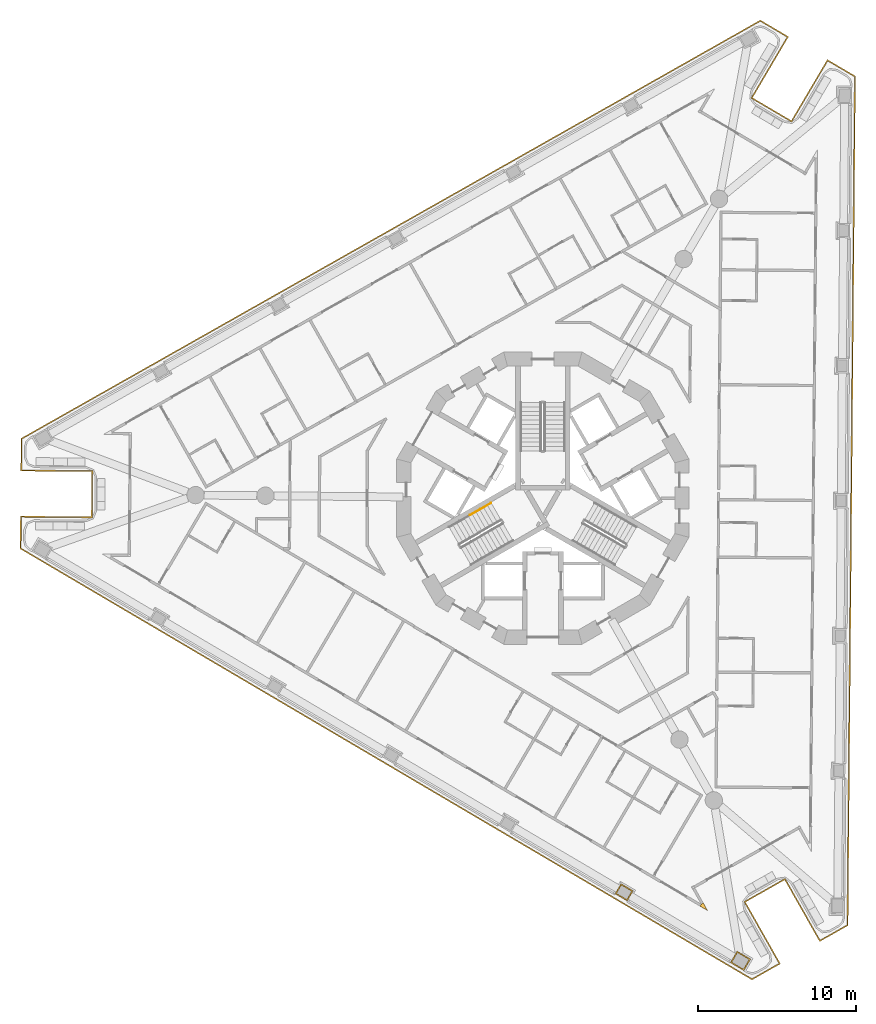
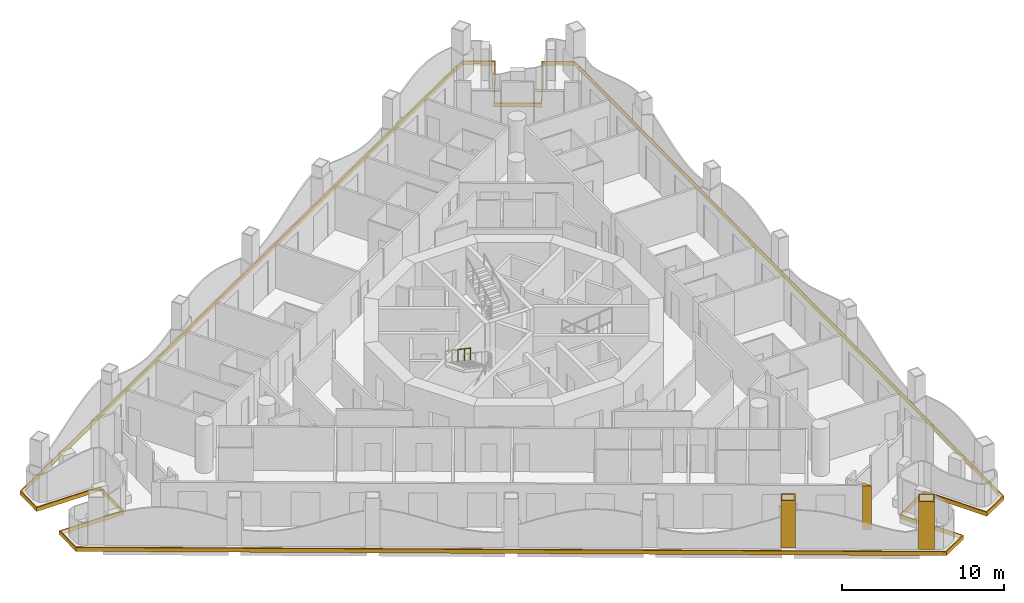
# One storey, part 13 of 17: 4 coverings, 1 railing.
"""IFC4 building model written with IfcOpenShell, lengths in metres."""

from ifc_helpers import new_model, si_unit, direction, frame, origin, origin_2d, place, context, subcontext, project, spatial, polyline, circle, outline, extrude, material, layer, layer_set, type_object, element, save


model = new_model("IFC4")

# Units and contexts
model_context = context("Model", 3, precision=1e-05, world=origin(), true_north=direction((0.0, 1.0)))
body_context = subcontext(model_context, "Body", "Model", "MODEL_VIEW")
ifc_project = project(units=[si_unit("LENGTHUNIT", "METRE"), si_unit("AREAUNIT", "SQUARE_METRE"), si_unit("VOLUMEUNIT", "CUBIC_METRE"), si_unit("PLANEANGLEUNIT", "RADIAN"), si_unit("MASSUNIT", "GRAM", prefix="KILO")], contexts=[model_context])

# Site, building, storey
site_placement = place(None, origin())
site = spatial("IfcSite", under=ifc_project, at=site_placement, CompositionType="ELEMENT")
building_placement = place(site_placement, origin())
building = spatial("IfcBuilding", under=site, at=building_placement, Name="Trine Commons Tower", CompositionType="ELEMENT")
storey_placement = place(building_placement, frame((0.0, 0.0, 182.699951171875)))
storey = spatial("IfcBuildingStorey", under=building, at=storey_placement, Name="L47", CompositionType="ELEMENT", Elevation=182.699951171875)

# Coverings
ifc_material_1 = material(Name="Aluminium-framed insulated wall panel", Category="aluminium")
ifc_layer_1 = layer(ifc_material_1, 0.14990234375)
ifc_layer_set_1 = layer_set([ifc_layer_1], Name="Aluminium-framed insulated wall panel")
covering_type_1 = type_object("IfcCoveringType", Name="Glazing corner post, aluminium", PredefinedType="CLADDING", material=ifc_layer_set_1)
covering_1_placement = place(storey_placement, origin())
element("IfcCovering", 1, at=covering_1_placement, inside=storey, type_object=covering_type_1, Name="Glazing corner post 5-12", PredefinedType="CLADDING", context=body_context, shape_type="SweptSolid", body=[
    extrude(outline(polyline([(89.97265625, 36.6083984375), (90.455078125, 36.32421875), (90.179443359375, 36.811279296875), (90.048828125, 36.737548828125), (89.97265625, 36.6083984375)])), origin(), (0.0, 0.0, 1.0), 3.300048828125),
])
ifc_material_2 = material(Name="Limestone, honed", Category="masonry")
ifc_layer_2 = layer(ifc_material_2, 0.074951171875)
ifc_layer_set_2 = layer_set([ifc_layer_2], Name="Limestone, honed")
covering_type_2 = type_object("IfcCoveringType", Name="Limestone column cladding 75", PredefinedType="CLADDING", material=ifc_layer_set_2)
covering_2_placement = place(storey_placement, origin())
element("IfcCovering", 2, at=covering_2_placement, inside=storey, type_object=covering_type_2, Name="Limestone pier cladding 5-01", PredefinedType="CLADDING", context=body_context, shape_type="SweptSolid", body=[
    extrude(outline(polyline([(92.327392578125, 33.753173828125), (91.89599609375, 33.020751953125), (92.757568359375, 32.51318359375), (93.18896484375, 33.24560546875), (92.327392578125, 33.753173828125)]), holes=[polyline([(92.35400390625, 33.650390625), (91.998779296875, 33.047119140625), (92.731201171875, 32.61572265625), (93.086181640625, 33.218994140625), (92.35400390625, 33.650390625)])]), origin(), (0.0, 0.0, 1.0), 3.60009765625),
])
covering_3_placement = place(storey_placement, origin())
element("IfcCovering", 3, at=covering_3_placement, inside=storey, type_object=covering_type_2, Name="Limestone pier cladding 5-02", PredefinedType="CLADDING", context=body_context, shape_type="SweptSolid", body=[
    extrude(outline(polyline([(84.96044921875, 38.03466796875), (84.57958984375, 37.388427734375), (85.355224609375, 36.931640625), (85.73583984375, 37.577880859375), (84.96044921875, 38.03466796875)]), holes=[polyline([(84.987060546875, 37.931884765625), (84.682373046875, 37.414794921875), (85.32861328125, 37.0341796875), (85.63330078125, 37.55126953125), (84.987060546875, 37.931884765625)])]), origin(), (0.0, 0.0, 1.0), 3.60009765625),
])
ifc_layer_3 = layer(ifc_material_2, 0.074951171875)
ifc_layer_set_3 = layer_set([ifc_layer_3], Name="Limestone, honed")
covering_type_3 = type_object("IfcCoveringType", Name="Limestone spandrel panel 75", PredefinedType="CLADDING", material=ifc_layer_set_3)
covering_4_placement = place(storey_placement, frame((0.0, 0.0, -0.300048828125)))
element("IfcCovering", 4, at=covering_4_placement, inside=storey, type_object=covering_type_3, Name="Limestone spandrel panel 5-01", PredefinedType="CLADDING", context=body_context, shape_type="SweptSolid", body=[
    extrude(outline(polyline([(95.34814453125, 38.26611328125), (97.564208984375, 34.349365234375), (99.376708984375, 35.374755859375), (99.846923828125, 89.282958984375), (98.052734375, 90.33984375), (95.768798828125, 86.46240234375), (93.313232421875, 87.908935546875), (95.59716796875, 91.786376953125), (93.802734375, 92.84326171875), (46.8818359375, 66.296630859375), (46.863525390625, 64.214111328125), (51.363525390625, 64.175048828125), (51.338623046875, 61.3251953125), (46.8388671875, 61.3642578125), (46.820556640625, 59.281982421875), (93.271240234375, 31.92041015625), (95.08349609375, 32.94580078125), (92.86767578125, 36.862548828125), (95.34814453125, 38.26611328125)]), holes=[polyline([(98.079345703125, 90.237060546875), (99.771484375, 89.240234375), (99.302001953125, 35.418701171875), (97.592529296875, 34.45166015625), (95.376708984375, 38.3681640625), (92.765380859375, 36.890869140625), (94.9814453125, 32.974365234375), (93.27197265625, 32.007080078125), (46.89599609375, 59.32470703125), (46.9130859375, 61.288818359375), (51.412841796875, 61.24951171875), (51.439208984375, 64.249267578125), (46.939208984375, 64.28857421875), (46.956298828125, 66.252685546875), (93.802001953125, 92.756591796875), (95.494384765625, 91.759765625), (93.21044921875, 87.88232421875), (95.79541015625, 86.35986328125), (98.079345703125, 90.237060546875)])]), origin(), (0.0, 0.0, 1.0), 0.300048828125),
])

# Railing
ifc_material_3 = material(Name="Stainless steel handrail", Category="steel")
railing_type = type_object("IfcRailingType", Name="Stair handrail, steel 900", PredefinedType="HANDRAIL", material=ifc_material_3)
railing_placement = place(storey_placement, frame((76.72265625, 62.195556640625, 1.949951171875)))
element("IfcRailing", 5, at=railing_placement, inside=storey, type_object=railing_type, Name="L47 ST2B stair handrail 3", PredefinedType="HANDRAIL", context=body_context, shape_type="SweptSolid", body=[
    extrude(circle(Radius=0.02099609375, at=origin_2d()), frame((0.0, 0.0, 0.87890625), z_axis=(-0.763354580307, -0.440713956853, 0.472293333596), x_axis=(0.499992328818, -0.866029832698, 0.0)), (0.0, 0.0, 1.0), 1.747314453125),
    extrude(circle(Radius=0.01513671875, at=origin_2d()), origin(), (0.0, 0.0, 1.0), 0.85791015625),
    extrude(circle(Radius=0.01513671875, at=origin_2d()), frame((-0.6669921875, -0.385009765625, 0.41259765625)), (0.0, 0.0, 1.0), 0.85791015625),
    extrude(circle(Radius=0.01513671875, at=origin_2d()), frame((-1.333740234375, -0.77001953125, 0.8251953125)), (0.0, 0.0, 1.0), 0.85791015625),
])

save(model, "model.ifc")
